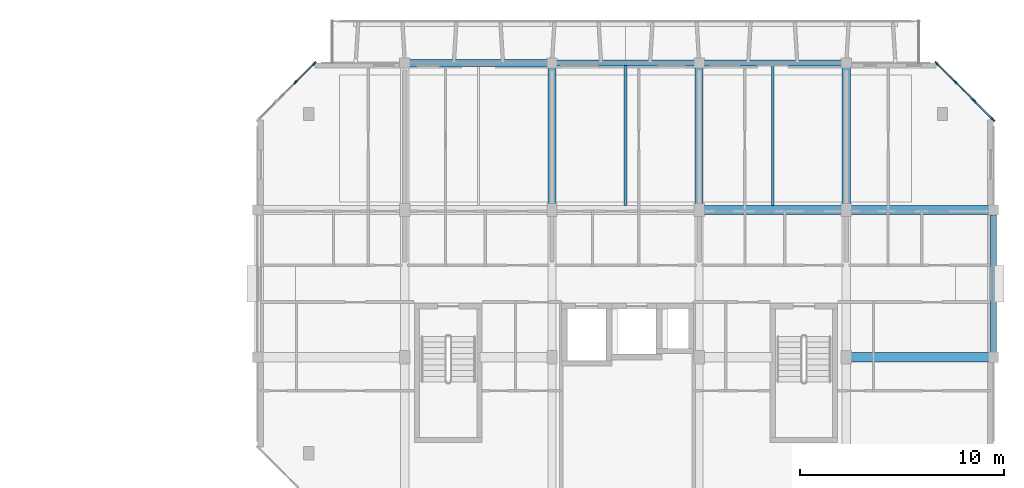
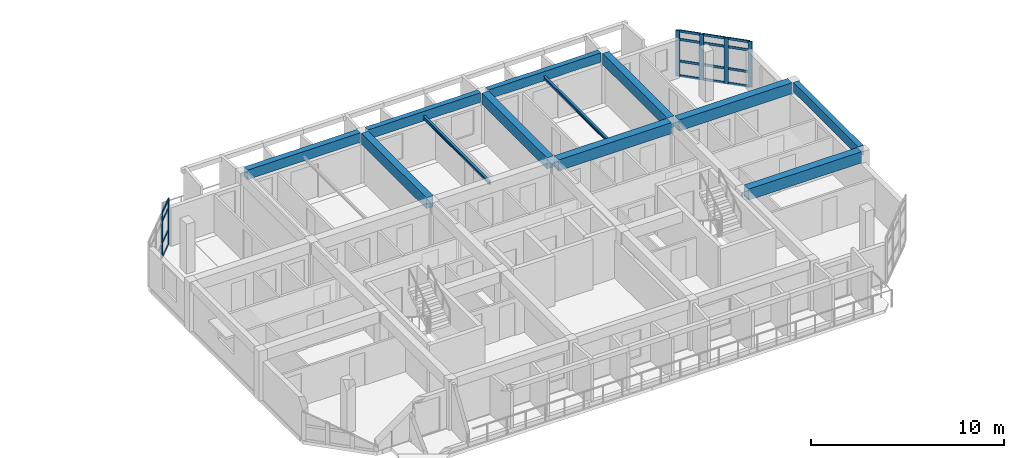
# One storey, part 10 of 40: 22 members, 12 beams, 2 elements without a shape of their own.
"""IFC4 building model written with IfcOpenShell, lengths in metres."""

from ifc_helpers import new_model, si_unit, direction, frame, origin, origin_2d, place, context, subcontext, project, spatial, rectangle, i_section, extrude, material, layer, layer_set, material_profile, profile_set, type_object, element, aggregate, save


model = new_model("IFC4")

# Units and contexts
model_context = context("Model", 3, precision=1e-05, world=origin(), true_north=direction((0.0, 1.0)))
body_context = subcontext(model_context, "Body", "Model", "MODEL_VIEW")
ifc_project = project(units=[si_unit("LENGTHUNIT", "METRE"), si_unit("AREAUNIT", "SQUARE_METRE"), si_unit("VOLUMEUNIT", "CUBIC_METRE"), si_unit("PLANEANGLEUNIT", "RADIAN"), si_unit("MASSUNIT", "GRAM", prefix="KILO")], contexts=[model_context])

# Site, building, storey
site_placement = place(None, origin())
site = spatial("IfcSite", under=ifc_project, at=site_placement, CompositionType="ELEMENT")
building_placement = place(site_placement, origin())
building = spatial("IfcBuilding", under=site, at=building_placement, Name="Ochrevale Crest", CompositionType="ELEMENT")
storey_placement = place(building_placement, frame((0.0, 0.0, 27.60009765625)))
storey = spatial("IfcBuildingStorey", under=building, at=storey_placement, Name="L08", CompositionType="ELEMENT", Elevation=27.60009765625)

# Beams
ifc_material_1 = material(Name="Precast concrete C50/60", Category="concrete")
ifc_material_profile_1 = material_profile(ifc_material_1, rectangle(XDim=0.39990234375, YDim=0.699951171875, at=origin_2d()), Name="PC 400x700")
ifc_profile_set_1 = profile_set([ifc_material_profile_1], Name="Precast concrete C50/60")
beam_type_1 = type_object("IfcBeamType", Name="BM-PC400x700", PredefinedType="BEAM", material=ifc_profile_set_1)
for number, where, z_axis, x_axis, name in (
    (1, (144.0, 86.6298828125, 2.7998046875), (0.0, 1.0, 0.0), (-1.0, 0.0, 0.0), "Block D L08 N-S beam X=144.0"),
    (2, (151.199951171875, 86.6298828125, 2.7998046875), (0.0, 1.0, 0.0), (-1.0, 0.0, 0.0), "Block D L08 N-S beam X=151.2"),
    (3, (158.39990234375, 86.6298828125, 2.7998046875), (0.0, 1.0, 0.0), (-1.0, 0.0, 0.0), "Block D L08 N-S beam X=158.4"),
):
    element("IfcBeam", number, at=place(storey_placement, frame(where, z_axis=z_axis, x_axis=x_axis)), inside=storey, type_object=beam_type_1, Name=name, PredefinedType="BEAM", context=body_context, shape_type="SweptSolid", body=[
        extrude(rectangle(XDim=0.39990234375, YDim=0.699951171875, at=origin_2d()), origin(), (0.0, 0.0, 1.0), 6.740234375),
    ])
ifc_material_2 = material(Name="Concrete C50/60", Category="concrete")
ifc_material_profile_2 = material_profile(ifc_material_2, rectangle(XDim=0.449951171875, YDim=0.699951171875, at=origin_2d()), Name="RC 450x700")
ifc_profile_set_2 = profile_set([ifc_material_profile_2], Name="Concrete C50/60")
beam_type_2 = type_object("IfcBeamType", Name="BM-PG450x700", PredefinedType="USERDEFINED", material=ifc_profile_set_2)
for number, where, z_axis, x_axis, name in (
    (4, (158.625, 79.199951171875, 2.7998046875), (1.0, 0.0, 0.0), (0.0, 1.0, 0.0), "Block D L08 E-W beam Y=79.2"),
    (5, (151.425048828125, 86.39990234375, 2.7998046875), (1.0, 0.0, 0.0), (0.0, 1.0, 0.0), "Block D L08 E-W beam Y=86.4"),
    (6, (158.625, 86.39990234375, 2.7998046875), (1.0, 0.0, 0.0), (0.0, 1.0, 0.0), "Block D L08 E-W beam Y=86.4"),
):
    element("IfcBeam", number, at=place(storey_placement, frame(where, z_axis=z_axis, x_axis=x_axis)), inside=storey, type_object=beam_type_2, Name=name, ObjectType="GIRDER", PredefinedType="USERDEFINED", context=body_context, shape_type="SweptSolid", body=[
        extrude(rectangle(XDim=0.449951171875, YDim=0.699951171875, at=origin_2d()), origin(), (0.0, 0.0, 1.0), 6.75),
    ])
ifc_material_3 = material(Name="Precast concrete C40/50", Category="concrete")
ifc_material_profile_3 = material_profile(ifc_material_3, rectangle(XDim=0.300048828125, YDim=0.580078125, at=origin_2d()), Name="PC 300x580")
ifc_profile_set_3 = profile_set([ifc_material_profile_3], Name="Precast concrete C40/50")
beam_type_3 = type_object("IfcBeamType", Name="BM-SP300x580", PredefinedType="SPANDREL", material=ifc_profile_set_3)
beam_1_placement = place(storey_placement, frame((151.425048828125, 93.60009765625, 2.85986328125), z_axis=(1.0, 0.0, 0.0), x_axis=(0.0, 1.0, 0.0)))
element("IfcBeam", 7, at=beam_1_placement, inside=storey, type_object=beam_type_3, Name="Block D L08 E-W beam Y=93.6", PredefinedType="SPANDREL", context=body_context, shape_type="SweptSolid", body=[
    extrude(rectangle(XDim=0.300048828125, YDim=0.580078125, at=origin_2d()), origin(), (0.0, 0.0, 1.0), 6.75),
])
ifc_material_profile_4 = material_profile(ifc_material_3, rectangle(XDim=0.300048828125, YDim=0.60009765625, at=origin_2d()), Name="PC 300x600")
ifc_profile_set_4 = profile_set([ifc_material_profile_4], Name="Precast concrete C40/50")
beam_type_4 = type_object("IfcBeamType", Name="BM-SP300x600", PredefinedType="SPANDREL", material=ifc_profile_set_4)
beam_2_placement = place(storey_placement, frame((144.22509765625, 93.60009765625, 2.849853515625), z_axis=(1.0, 0.0, 0.0), x_axis=(0.0, 1.0, 0.0)))
element("IfcBeam", 8, at=beam_2_placement, inside=storey, type_object=beam_type_4, Name="Block D L08 E-W beam Y=93.6", PredefinedType="SPANDREL", context=body_context, shape_type="SweptSolid", body=[
    extrude(rectangle(XDim=0.300048828125, YDim=0.60009765625, at=origin_2d()), origin(), (0.0, 0.0, 1.0), 6.75),
])
beam_3_placement = place(storey_placement, frame((165.60009765625, 79.429931640625, 2.849853515625), z_axis=(0.0, 1.0, 0.0), x_axis=(-1.0, 0.0, 0.0)))
element("IfcBeam", 9, at=beam_3_placement, inside=storey, type_object=beam_type_4, Name="Block D L08 N-S beam X=165.6", PredefinedType="SPANDREL", context=body_context, shape_type="SweptSolid", body=[
    extrude(rectangle(XDim=0.300048828125, YDim=0.60009765625, at=origin_2d()), origin(), (0.0, 0.0, 1.0), 6.739990234375),
])
ifc_material_profile_5 = material_profile(ifc_material_3, rectangle(XDim=0.35009765625, YDim=0.60009765625, at=origin_2d()), Name="PC 350x600")
ifc_profile_set_5 = profile_set([ifc_material_profile_5], Name="Precast concrete C40/50")
beam_type_5 = type_object("IfcBeamType", Name="BM-SP350x600", PredefinedType="SPANDREL", material=ifc_profile_set_5)
beam_4_placement = place(storey_placement, frame((137.02490234375, 93.60009765625, 2.849853515625), z_axis=(1.0, 0.0, 0.0), x_axis=(0.0, 1.0, 0.0)))
element("IfcBeam", 10, at=beam_4_placement, inside=storey, type_object=beam_type_5, Name="Block D L08 E-W beam Y=93.6", PredefinedType="SPANDREL", context=body_context, shape_type="SweptSolid", body=[
    extrude(rectangle(XDim=0.35009765625, YDim=0.60009765625, at=origin_2d()), origin(), (0.0, 0.0, 1.0), 6.75),
])
ifc_material_4 = material(Name="Steel S355", Category="steel")
ifc_material_profile_6 = material_profile(ifc_material_4, i_section(OverallWidth=0.13330078125, OverallDepth=0.203125, WebThickness=0.005859375, FlangeThickness=0.0078125, FilletRadius=0.0087890625, at=origin_2d()), Name="200UB25.4")
ifc_profile_set_6 = profile_set([ifc_material_profile_6], Name="Steel S355")
beam_type_6 = type_object("IfcBeamType", Name="BM-UB200A", PredefinedType="JOIST", material=ifc_profile_set_6)
beam_5_placement = place(storey_placement, frame((147.60009765625, 86.613037109375, 2.773193359375), z_axis=(0.0, 1.0, 0.0), x_axis=(-1.0, 0.0, 0.0)))
element("IfcBeam", 11, at=beam_5_placement, inside=storey, type_object=beam_type_6, Name="Block D L08 composite plank trimmer beam 3", PredefinedType="JOIST", context=body_context, shape_type="SweptSolid", body=[
    extrude(i_section(OverallWidth=0.13330078125, OverallDepth=0.203125, WebThickness=0.005859375, FlangeThickness=0.0078125, FilletRadius=0.0087890625, at=origin_2d()), origin(), (0.0, 0.0, 1.0), 6.848876953125),
])
ifc_material_profile_7 = material_profile(ifc_material_4, i_section(OverallWidth=0.134033203125, OverallDepth=0.20703125, WebThickness=0.00634765625, FlangeThickness=0.009521484375, FilletRadius=0.0087890625, at=origin_2d()), Name="200UB29.8")
ifc_profile_set_7 = profile_set([ifc_material_profile_7], Name="Steel S355")
beam_type_7 = type_object("IfcBeamType", Name="BM-UB200B", PredefinedType="JOIST", material=ifc_profile_set_7)
beam_6_placement = place(storey_placement, frame((154.800048828125, 86.613037109375, 2.771484375), z_axis=(0.0, 1.0, 0.0), x_axis=(-1.0, 0.0, 0.0)))
element("IfcBeam", 12, at=beam_6_placement, inside=storey, type_object=beam_type_7, Name="Block D L08 composite plank trimmer beam 4", PredefinedType="JOIST", context=body_context, shape_type="SweptSolid", body=[
    extrude(i_section(OverallWidth=0.134033203125, OverallDepth=0.20703125, WebThickness=0.00634765625, FlangeThickness=0.009521484375, FilletRadius=0.0087890625, at=origin_2d()), origin(), (0.0, 0.0, 1.0), 6.848876953125),
])

# Curtain wall, members
ifc_material_5 = material(Name="Anodised aluminium 6063-T5", Category="aluminium")
ifc_layer_1 = layer(ifc_material_5, 0.14990234375)
ifc_layer_set_1 = layer_set([ifc_layer_1], Name="Anodised aluminium 6063-T5")
curtain_wall_type_1 = type_object("IfcCurtainWallType", Name="CW-WG-320x285", PredefinedType="NOTDEFINED", material=ifc_layer_set_1)
curtain_wall_1_placement = place(storey_placement, origin())
curtain_wall_1 = element("IfcCurtainWall", 13, at=curtain_wall_1_placement, inside=storey, type_object=curtain_wall_type_1, Name="Block D L08 chamfered corner wintergarden curtain wall 4", PredefinedType="NOTDEFINED")
ifc_material_profile_8 = material_profile(ifc_material_5, rectangle(XDim=0.074951171875, YDim=0.219970703125, at=origin_2d()), Name="ALU 75x220")
ifc_profile_set_8 = profile_set([ifc_material_profile_8], Name="Anodised aluminium 6063-T5")
member_type_1 = type_object("IfcMemberType", Name="CW-MUL-75x220", PredefinedType="MULLION", material=ifc_profile_set_8)
member_1_placement = place(storey_placement, frame((165.573486328125, 90.826416015625, 0.0), z_axis=(0.0, 0.0, 1.0), x_axis=(-0.707106781187, -0.707106781187, 0.0)))
member_1 = element("IfcMember", 14, at=member_1_placement, type_object=member_type_1, Name="CW17 mullion 1", PredefinedType="MULLION", context=body_context, shape_type="SweptSolid", body=[
    extrude(rectangle(XDim=0.074951171875, YDim=0.219970703125, at=origin_2d()), origin(), (0.0, 0.0, 1.0), 2.875),
])
member_2_placement = place(storey_placement, frame((164.666748046875, 91.7333984375, 0.0), z_axis=(0.0, 0.0, 1.0), x_axis=(-0.707106781187, -0.707106781187, 0.0)))
member_2 = element("IfcMember", 15, at=member_2_placement, type_object=member_type_1, Name="CW17 mullion 2", PredefinedType="MULLION", context=body_context, shape_type="SweptSolid", body=[
    extrude(rectangle(XDim=0.074951171875, YDim=0.219970703125, at=origin_2d()), origin(), (0.0, 0.0, 1.0), 2.875),
])
member_3_placement = place(storey_placement, frame((163.7333984375, 92.666748046875, 0.0), z_axis=(0.0, 0.0, 1.0), x_axis=(-0.707106781187, -0.707106781187, 0.0)))
member_3 = element("IfcMember", 16, at=member_3_placement, type_object=member_type_1, Name="CW17 mullion 3", PredefinedType="MULLION", context=body_context, shape_type="SweptSolid", body=[
    extrude(rectangle(XDim=0.074951171875, YDim=0.219970703125, at=origin_2d()), origin(), (0.0, 0.0, 1.0), 2.875),
])
member_4_placement = place(storey_placement, frame((162.826416015625, 93.573486328125, 0.0), z_axis=(0.0, 0.0, 1.0), x_axis=(-0.707106781187, -0.707106781187, 0.0)))
member_4 = element("IfcMember", 17, at=member_4_placement, type_object=member_type_1, Name="CW17 mullion 4", PredefinedType="MULLION", context=body_context, shape_type="SweptSolid", body=[
    extrude(rectangle(XDim=0.074951171875, YDim=0.219970703125, at=origin_2d()), origin(), (0.0, 0.0, 1.0), 2.875),
])

ifc_layer_2 = layer(ifc_material_5, 0.14990234375)
ifc_layer_set_2 = layer_set([ifc_layer_2], Name="Anodised aluminium 6063-T5")
curtain_wall_type_2 = type_object("IfcCurtainWallType", Name="CW-WG-420x285", PredefinedType="NOTDEFINED", material=ifc_layer_set_2)
curtain_wall_2_placement = place(storey_placement, origin())
curtain_wall_2 = element("IfcCurtainWall", 18, at=curtain_wall_2_placement, inside=storey, type_object=curtain_wall_type_2, Name="Block D L08 chamfered corner wintergarden curtain wall 6", PredefinedType="NOTDEFINED")
member_5_placement = place(storey_placement, frame((132.37353515625, 93.573486328125, 0.0), z_axis=(0.0, 0.0, 1.0), x_axis=(0.707106781187, -0.707106781187, 0.0)))
member_5 = element("IfcMember", 19, at=member_5_placement, type_object=member_type_1, Name="CW22 mullion 1", PredefinedType="MULLION", context=body_context, shape_type="SweptSolid", body=[
    extrude(rectangle(XDim=0.074951171875, YDim=0.219970703125, at=origin_2d()), origin(), (0.0, 0.0, 1.0), 2.875),
])
member_6_placement = place(storey_placement, frame((131.466552734375, 92.666748046875, 0.0), z_axis=(0.0, 0.0, 1.0), x_axis=(0.707106781187, -0.707106781187, 0.0)))
member_6 = element("IfcMember", 20, at=member_6_placement, type_object=member_type_1, Name="CW22 mullion 2", PredefinedType="MULLION", context=body_context, shape_type="SweptSolid", body=[
    extrude(rectangle(XDim=0.074951171875, YDim=0.219970703125, at=origin_2d()), origin(), (0.0, 0.0, 1.0), 2.875),
])

# Member
ifc_material_profile_9 = material_profile(ifc_material_5, rectangle(XDim=0.06005859375, YDim=0.14990234375, at=origin_2d()), Name="ALU 60x150")
ifc_profile_set_9 = profile_set([ifc_material_profile_9], Name="Anodised aluminium 6063-T5")
member_type_2 = type_object("IfcMemberType", Name="CW-TRN-60x150", PredefinedType="USERDEFINED", material=ifc_profile_set_9)
member_7_placement = place(storey_placement, frame((165.546875, 90.85302734375, 0.02978515625), z_axis=(-0.707106781187, 0.707106781187, 0.0), x_axis=(-0.707106781187, -0.707106781187, 0.0)))
member_7 = element("IfcMember", 21, at=member_7_placement, type_object=member_type_2, Name="CW17 transom 1.1", ObjectType="TRANSOM", PredefinedType="USERDEFINED", context=body_context, shape_type="SweptSolid", body=[
    extrude(rectangle(XDim=0.06005859375, YDim=0.14990234375, at=origin_2d()), origin(), (0.0, 0.0, 1.0), 1.20751953125),
])

member_8_placement = place(storey_placement, frame((165.546875, 90.85302734375, 0.949951171875), z_axis=(-0.707106781187, 0.707106781187, 0.0), x_axis=(-0.707106781187, -0.707106781187, 0.0)))
member_8 = element("IfcMember", 22, at=member_8_placement, type_object=member_type_2, Name="CW17 transom 1.2", ObjectType="TRANSOM", PredefinedType="USERDEFINED", context=body_context, shape_type="SweptSolid", body=[
    extrude(rectangle(XDim=0.06005859375, YDim=0.14990234375, at=origin_2d()), origin(), (0.0, 0.0, 1.0), 1.20751953125),
])

member_9_placement = place(storey_placement, frame((165.546875, 90.85302734375, 2.324951171875), z_axis=(-0.707106781187, 0.707106781187, 0.0), x_axis=(-0.707106781187, -0.707106781187, 0.0)))
member_9 = element("IfcMember", 23, at=member_9_placement, type_object=member_type_2, Name="CW17 transom 1.3", ObjectType="TRANSOM", PredefinedType="USERDEFINED", context=body_context, shape_type="SweptSolid", body=[
    extrude(rectangle(XDim=0.06005859375, YDim=0.14990234375, at=origin_2d()), origin(), (0.0, 0.0, 1.0), 1.20751953125),
])

member_10_placement = place(storey_placement, frame((165.546875, 90.85302734375, 2.844970703125), z_axis=(-0.707106781187, 0.707106781187, 0.0), x_axis=(-0.707106781187, -0.707106781187, 0.0)))
member_10 = element("IfcMember", 24, at=member_10_placement, type_object=member_type_2, Name="CW17 transom 1.4", ObjectType="TRANSOM", PredefinedType="USERDEFINED", context=body_context, shape_type="SweptSolid", body=[
    extrude(rectangle(XDim=0.06005859375, YDim=0.14990234375, at=origin_2d()), origin(), (0.0, 0.0, 1.0), 1.20751953125),
])

member_11_placement = place(storey_placement, frame((164.64013671875, 91.759765625, 0.02978515625), z_axis=(-0.707106781187, 0.707106781187, 0.0), x_axis=(-0.707106781187, -0.707106781187, 0.0)))
member_11 = element("IfcMember", 25, at=member_11_placement, type_object=member_type_2, Name="CW17 transom 2.1", ObjectType="TRANSOM", PredefinedType="USERDEFINED", context=body_context, shape_type="SweptSolid", body=[
    extrude(rectangle(XDim=0.06005859375, YDim=0.14990234375, at=origin_2d()), origin(), (0.0, 0.0, 1.0), 1.2451171875),
])

member_12_placement = place(storey_placement, frame((164.64013671875, 91.759765625, 0.949951171875), z_axis=(-0.707106781187, 0.707106781187, 0.0), x_axis=(-0.707106781187, -0.707106781187, 0.0)))
member_12 = element("IfcMember", 26, at=member_12_placement, type_object=member_type_2, Name="CW17 transom 2.2", ObjectType="TRANSOM", PredefinedType="USERDEFINED", context=body_context, shape_type="SweptSolid", body=[
    extrude(rectangle(XDim=0.06005859375, YDim=0.14990234375, at=origin_2d()), origin(), (0.0, 0.0, 1.0), 1.2451171875),
])

member_13_placement = place(storey_placement, frame((164.64013671875, 91.759765625, 2.324951171875), z_axis=(-0.707106781187, 0.707106781187, 0.0), x_axis=(-0.707106781187, -0.707106781187, 0.0)))
member_13 = element("IfcMember", 27, at=member_13_placement, type_object=member_type_2, Name="CW17 transom 2.3", ObjectType="TRANSOM", PredefinedType="USERDEFINED", context=body_context, shape_type="SweptSolid", body=[
    extrude(rectangle(XDim=0.06005859375, YDim=0.14990234375, at=origin_2d()), origin(), (0.0, 0.0, 1.0), 1.2451171875),
])

member_14_placement = place(storey_placement, frame((164.64013671875, 91.759765625, 2.844970703125), z_axis=(-0.707106781187, 0.707106781187, 0.0), x_axis=(-0.707106781187, -0.707106781187, 0.0)))
member_14 = element("IfcMember", 28, at=member_14_placement, type_object=member_type_2, Name="CW17 transom 2.4", ObjectType="TRANSOM", PredefinedType="USERDEFINED", context=body_context, shape_type="SweptSolid", body=[
    extrude(rectangle(XDim=0.06005859375, YDim=0.14990234375, at=origin_2d()), origin(), (0.0, 0.0, 1.0), 1.2451171875),
])

member_15_placement = place(storey_placement, frame((163.706787109375, 92.693115234375, 0.02978515625), z_axis=(-0.707106781187, 0.707106781187, 0.0), x_axis=(-0.707106781187, -0.707106781187, 0.0)))
member_15 = element("IfcMember", 29, at=member_15_placement, type_object=member_type_2, Name="CW17 transom 3.1", ObjectType="TRANSOM", PredefinedType="USERDEFINED", context=body_context, shape_type="SweptSolid", body=[
    extrude(rectangle(XDim=0.06005859375, YDim=0.14990234375, at=origin_2d()), origin(), (0.0, 0.0, 1.0), 1.20751953125),
])

member_16_placement = place(storey_placement, frame((163.706787109375, 92.693115234375, 0.949951171875), z_axis=(-0.707106781187, 0.707106781187, 0.0), x_axis=(-0.707106781187, -0.707106781187, 0.0)))
member_16 = element("IfcMember", 30, at=member_16_placement, type_object=member_type_2, Name="CW17 transom 3.2", ObjectType="TRANSOM", PredefinedType="USERDEFINED", context=body_context, shape_type="SweptSolid", body=[
    extrude(rectangle(XDim=0.06005859375, YDim=0.14990234375, at=origin_2d()), origin(), (0.0, 0.0, 1.0), 1.20751953125),
])

member_17_placement = place(storey_placement, frame((163.706787109375, 92.693115234375, 2.324951171875), z_axis=(-0.707106781187, 0.707106781187, 0.0), x_axis=(-0.707106781187, -0.707106781187, 0.0)))
member_17 = element("IfcMember", 31, at=member_17_placement, type_object=member_type_2, Name="CW17 transom 3.3", ObjectType="TRANSOM", PredefinedType="USERDEFINED", context=body_context, shape_type="SweptSolid", body=[
    extrude(rectangle(XDim=0.06005859375, YDim=0.14990234375, at=origin_2d()), origin(), (0.0, 0.0, 1.0), 1.20751953125),
])

member_18_placement = place(storey_placement, frame((163.706787109375, 92.693115234375, 2.844970703125), z_axis=(-0.707106781187, 0.707106781187, 0.0), x_axis=(-0.707106781187, -0.707106781187, 0.0)))
member_18 = element("IfcMember", 32, at=member_18_placement, type_object=member_type_2, Name="CW17 transom 3.4", ObjectType="TRANSOM", PredefinedType="USERDEFINED", context=body_context, shape_type="SweptSolid", body=[
    extrude(rectangle(XDim=0.06005859375, YDim=0.14990234375, at=origin_2d()), origin(), (0.0, 0.0, 1.0), 1.20751953125),
])

aggregate(curtain_wall_1, [member_1, member_2, member_3, member_4, member_7, member_8, member_9, member_10, member_11, member_12, member_13, member_14, member_15, member_16, member_17, member_18])

member_19_placement = place(storey_placement, frame((132.346923828125, 93.546875, 0.02978515625), z_axis=(-0.707106781187, -0.707106781187, 0.0), x_axis=(0.707106781187, -0.707106781187, 0.0)))
member_19 = element("IfcMember", 33, at=member_19_placement, type_object=member_type_2, Name="CW22 transom 1.1", ObjectType="TRANSOM", PredefinedType="USERDEFINED", context=body_context, shape_type="SweptSolid", body=[
    extrude(rectangle(XDim=0.06005859375, YDim=0.14990234375, at=origin_2d()), origin(), (0.0, 0.0, 1.0), 1.20751953125),
])

member_20_placement = place(storey_placement, frame((132.346923828125, 93.546875, 0.949951171875), z_axis=(-0.707106781187, -0.707106781187, 0.0), x_axis=(0.707106781187, -0.707106781187, 0.0)))
member_20 = element("IfcMember", 34, at=member_20_placement, type_object=member_type_2, Name="CW22 transom 1.2", ObjectType="TRANSOM", PredefinedType="USERDEFINED", context=body_context, shape_type="SweptSolid", body=[
    extrude(rectangle(XDim=0.06005859375, YDim=0.14990234375, at=origin_2d()), origin(), (0.0, 0.0, 1.0), 1.20751953125),
])

member_21_placement = place(storey_placement, frame((132.346923828125, 93.546875, 2.324951171875), z_axis=(-0.707106781187, -0.707106781187, 0.0), x_axis=(0.707106781187, -0.707106781187, 0.0)))
member_21 = element("IfcMember", 35, at=member_21_placement, type_object=member_type_2, Name="CW22 transom 1.3", ObjectType="TRANSOM", PredefinedType="USERDEFINED", context=body_context, shape_type="SweptSolid", body=[
    extrude(rectangle(XDim=0.06005859375, YDim=0.14990234375, at=origin_2d()), origin(), (0.0, 0.0, 1.0), 1.20751953125),
])

member_22_placement = place(storey_placement, frame((132.346923828125, 93.546875, 2.844970703125), z_axis=(-0.707106781187, -0.707106781187, 0.0), x_axis=(0.707106781187, -0.707106781187, 0.0)))
member_22 = element("IfcMember", 36, at=member_22_placement, type_object=member_type_2, Name="CW22 transom 1.4", ObjectType="TRANSOM", PredefinedType="USERDEFINED", context=body_context, shape_type="SweptSolid", body=[
    extrude(rectangle(XDim=0.06005859375, YDim=0.14990234375, at=origin_2d()), origin(), (0.0, 0.0, 1.0), 1.20751953125),
])

aggregate(curtain_wall_2, [member_5, member_6, member_19, member_20, member_21, member_22])

save(model, "model.ifc")
